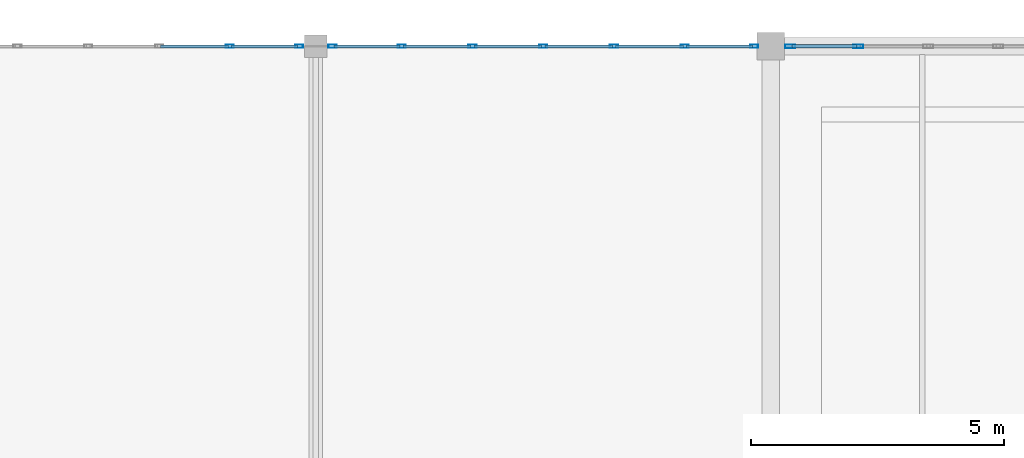
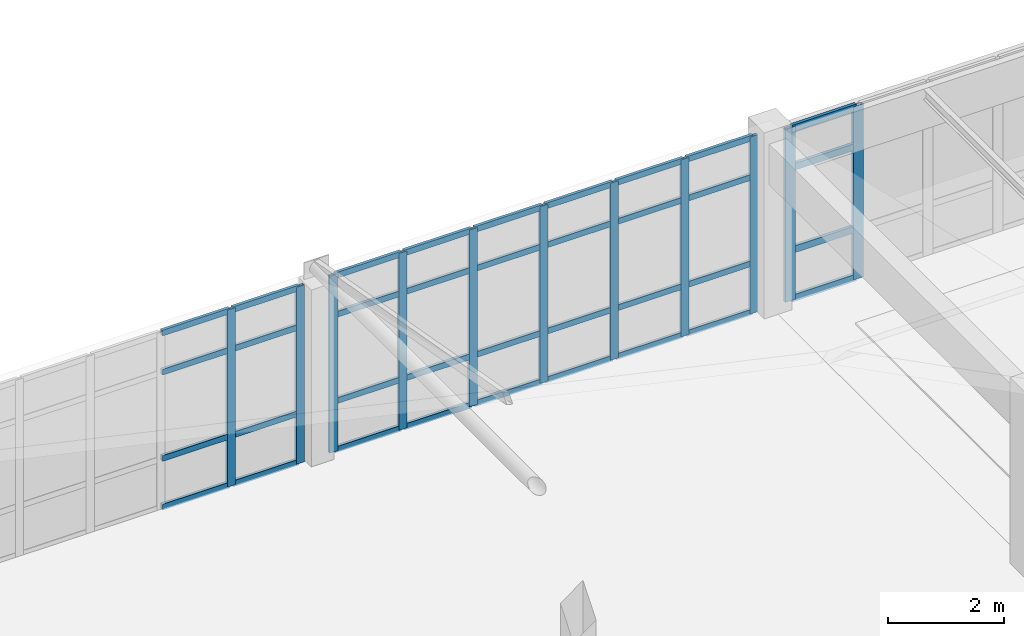
# One storey, part 102 of 156: 47 members, 3 elements without a shape of their own.
"""IFC4 building model written with IfcOpenShell, lengths in metres."""

from ifc_helpers import new_model, si_unit, direction, frame, origin, origin_2d, place, context, subcontext, project, spatial, hollow_rectangle, extrude, material, layer, layer_set, material_profile, profile_set, type_object, element, aggregate, save


model = new_model("IFC4")

# Units and contexts
model_context = context("Model", 3, precision=1e-05, world=origin(), true_north=direction((0.0, 1.0)))
body_context = subcontext(model_context, "Body", "Model", "MODEL_VIEW")
ifc_project = project(units=[si_unit("LENGTHUNIT", "METRE"), si_unit("AREAUNIT", "SQUARE_METRE"), si_unit("VOLUMEUNIT", "CUBIC_METRE"), si_unit("PLANEANGLEUNIT", "RADIAN"), si_unit("MASSUNIT", "GRAM", prefix="KILO")], contexts=[model_context])

# Site, building, storey
site_placement = place(None, origin())
site = spatial("IfcSite", under=ifc_project, at=site_placement, CompositionType="ELEMENT")
building_placement = place(site_placement, origin())
building = spatial("IfcBuilding", under=site, at=building_placement, Name="Ornek Quay Market", CompositionType="ELEMENT")
storey_placement = place(building_placement, frame((0.0, 0.0, 4.5)))
storey = spatial("IfcBuildingStorey", under=building, at=storey_placement, Name="L01", CompositionType="ELEMENT", Elevation=4.5)

# Curtain wall, members
ifc_material_1 = material(Name="Anodised bronze aluminium and triple low-e glass", Category="aluminium")
ifc_layer_1 = layer(ifc_material_1, 0.179931640625, Name="Anodised bronze aluminium and triple low-e glass", Category="aluminium")
ifc_layer_set_1 = layer_set([ifc_layer_1], Name="Anodised bronze aluminium and triple low-e glass")
curtain_wall_type_1 = type_object("IfcCurtainWallType", Name="CW-CONC-MOD1500", PredefinedType="USERDEFINED", material=ifc_layer_set_1)
curtain_wall_1_placement = place(storey_placement, origin())
curtain_wall_1 = element("IfcCurtainWall", 1, at=curtain_wall_1_placement, inside=storey, type_object=curtain_wall_type_1, Name="Curtain wall CW-037", ObjectType="CURTAIN WALL", PredefinedType="USERDEFINED")
ifc_material_2 = material(Name="Anodised aluminium 6063-T6", Category="aluminium")
ifc_material_profile_1 = material_profile(ifc_material_2, hollow_rectangle(XDim=0.06005859375, YDim=0.159912109375, WallThickness=0.00390625, at=origin_2d()), Name="CW-MUL-60x160", Category="aluminium")
ifc_profile_set_1 = profile_set([ifc_material_profile_1], Name="Anodised aluminium 6063-T6")
member_type_1 = type_object("IfcMemberType", Name="CW-MUL-60x160", PredefinedType="MULLION", material=ifc_profile_set_1)
member_1_placement = place(storey_placement, frame((142.300048828125, 110.0, 0.0), z_axis=(0.0, 0.0, 1.0), x_axis=(0.0, 1.0, 0.0)))
member_1 = element("IfcMember", 2, at=member_1_placement, type_object=member_type_1, Name="CW-037 mullion 6", PredefinedType="MULLION", context=body_context, shape_type="SweptSolid", body=[
    extrude(hollow_rectangle(XDim=0.06005859375, YDim=0.159912109375, WallThickness=0.00390625, at=origin_2d()), origin(), (0.0, 0.0, 1.0), 3.7099609375),
])
member_2_placement = place(storey_placement, frame((143.669921875, 110.0, 0.0), z_axis=(0.0, 0.0, 1.0), x_axis=(0.0, 1.0, 0.0)))
member_2 = element("IfcMember", 3, at=member_2_placement, type_object=member_type_1, Name="CW-037 mullion 7", PredefinedType="MULLION", context=body_context, shape_type="SweptSolid", body=[
    extrude(hollow_rectangle(XDim=0.06005859375, YDim=0.159912109375, WallThickness=0.00390625, at=origin_2d()), origin(), (0.0, 0.0, 1.0), 3.7099609375),
])

curtain_wall_2_placement = place(storey_placement, origin())
curtain_wall_2 = element("IfcCurtainWall", 4, at=curtain_wall_2_placement, inside=storey, type_object=curtain_wall_type_1, Name="Curtain wall CW-041", ObjectType="CURTAIN WALL", PredefinedType="USERDEFINED")
member_3_placement = place(storey_placement, frame((144.330078125, 110.0, 0.0), z_axis=(0.0, 0.0, 1.0), x_axis=(0.0, 1.0, 0.0)))
member_3 = element("IfcMember", 5, at=member_3_placement, type_object=member_type_1, Name="CW-041 mullion 1", PredefinedType="MULLION", context=body_context, shape_type="SweptSolid", body=[
    extrude(hollow_rectangle(XDim=0.06005859375, YDim=0.159912109375, WallThickness=0.00390625, at=origin_2d()), origin(), (0.0, 0.0, 1.0), 3.7099609375),
])
member_4_placement = place(storey_placement, frame((145.699951171875, 110.0, 0.0), z_axis=(0.0, 0.0, 1.0), x_axis=(0.0, 1.0, 0.0)))
member_4 = element("IfcMember", 6, at=member_4_placement, type_object=member_type_1, Name="CW-041 mullion 2", PredefinedType="MULLION", context=body_context, shape_type="SweptSolid", body=[
    extrude(hollow_rectangle(XDim=0.06005859375, YDim=0.159912109375, WallThickness=0.00390625, at=origin_2d()), origin(), (0.0, 0.0, 1.0), 3.7099609375),
])
member_5_placement = place(storey_placement, frame((147.10009765625, 110.0, 0.0), z_axis=(0.0, 0.0, 1.0), x_axis=(0.0, 1.0, 0.0)))
member_5 = element("IfcMember", 7, at=member_5_placement, type_object=member_type_1, Name="CW-041 mullion 3", PredefinedType="MULLION", context=body_context, shape_type="SweptSolid", body=[
    extrude(hollow_rectangle(XDim=0.06005859375, YDim=0.159912109375, WallThickness=0.00390625, at=origin_2d()), origin(), (0.0, 0.0, 1.0), 3.7099609375),
])
member_6_placement = place(storey_placement, frame((148.5, 110.0, 0.0), z_axis=(0.0, 0.0, 1.0), x_axis=(0.0, 1.0, 0.0)))
member_6 = element("IfcMember", 8, at=member_6_placement, type_object=member_type_1, Name="CW-041 mullion 4", PredefinedType="MULLION", context=body_context, shape_type="SweptSolid", body=[
    extrude(hollow_rectangle(XDim=0.06005859375, YDim=0.159912109375, WallThickness=0.00390625, at=origin_2d()), origin(), (0.0, 0.0, 1.0), 3.7099609375),
])
member_7_placement = place(storey_placement, frame((149.89990234375, 110.0, 0.0), z_axis=(0.0, 0.0, 1.0), x_axis=(0.0, 1.0, 0.0)))
member_7 = element("IfcMember", 9, at=member_7_placement, type_object=member_type_1, Name="CW-041 mullion 5", PredefinedType="MULLION", context=body_context, shape_type="SweptSolid", body=[
    extrude(hollow_rectangle(XDim=0.06005859375, YDim=0.159912109375, WallThickness=0.00390625, at=origin_2d()), origin(), (0.0, 0.0, 1.0), 3.7099609375),
])
member_8_placement = place(storey_placement, frame((151.300048828125, 110.0, 0.0), z_axis=(0.0, 0.0, 1.0), x_axis=(0.0, 1.0, 0.0)))
member_8 = element("IfcMember", 10, at=member_8_placement, type_object=member_type_1, Name="CW-041 mullion 6", PredefinedType="MULLION", context=body_context, shape_type="SweptSolid", body=[
    extrude(hollow_rectangle(XDim=0.06005859375, YDim=0.159912109375, WallThickness=0.00390625, at=origin_2d()), origin(), (0.0, 0.0, 1.0), 3.7099609375),
])
member_9_placement = place(storey_placement, frame((152.669921875, 110.0, 0.0), z_axis=(0.0, 0.0, 1.0), x_axis=(0.0, 1.0, 0.0)))
member_9 = element("IfcMember", 11, at=member_9_placement, type_object=member_type_1, Name="CW-041 mullion 7", PredefinedType="MULLION", context=body_context, shape_type="SweptSolid", body=[
    extrude(hollow_rectangle(XDim=0.06005859375, YDim=0.159912109375, WallThickness=0.00390625, at=origin_2d()), origin(), (0.0, 0.0, 1.0), 3.7099609375),
])

ifc_layer_2 = layer(ifc_material_1, 0.18994140625, Name="Anodised bronze aluminium and triple low-e glass", Category="aluminium")
ifc_layer_set_2 = layer_set([ifc_layer_2], Name="Anodised bronze aluminium and triple low-e glass")
curtain_wall_type_2 = type_object("IfcCurtainWallType", Name="CW-FC-MOD1500", PredefinedType="USERDEFINED", material=ifc_layer_set_2)
curtain_wall_3_placement = place(storey_placement, origin())
curtain_wall_3 = element("IfcCurtainWall", 12, at=curtain_wall_3_placement, inside=storey, type_object=curtain_wall_type_2, Name="Curtain wall CW-083", ObjectType="CURTAIN WALL", PredefinedType="USERDEFINED")
ifc_material_profile_2 = material_profile(ifc_material_2, hollow_rectangle(XDim=0.070068359375, YDim=0.199951171875, WallThickness=0.0048828125, at=origin_2d()), Name="CW-MUL-70x200", Category="aluminium")
ifc_profile_set_2 = profile_set([ifc_material_profile_2], Name="Anodised aluminium 6063-T6")
member_type_2 = type_object("IfcMemberType", Name="CW-MUL-70x200", PredefinedType="MULLION", material=ifc_profile_set_2)
member_10_placement = place(storey_placement, frame((153.385009765625, 110.0, 0.0), z_axis=(0.0, 0.0, 1.0), x_axis=(0.0, 1.0, 0.0)))
member_10 = element("IfcMember", 13, at=member_10_placement, type_object=member_type_2, Name="CW-083 mullion 1", PredefinedType="MULLION", context=body_context, shape_type="SweptSolid", body=[
    extrude(hollow_rectangle(XDim=0.070068359375, YDim=0.199951171875, WallThickness=0.0048828125, at=origin_2d()), origin(), (0.0, 0.0, 1.0), 3.6298828125),
])
member_11_placement = place(storey_placement, frame((154.7333984375, 110.0, 0.0), z_axis=(0.0, 0.0, 1.0), x_axis=(0.0, 1.0, 0.0)))
member_11 = element("IfcMember", 14, at=member_11_placement, type_object=member_type_2, Name="CW-083 mullion 2", PredefinedType="MULLION", context=body_context, shape_type="SweptSolid", body=[
    extrude(hollow_rectangle(XDim=0.070068359375, YDim=0.199951171875, WallThickness=0.0048828125, at=origin_2d()), origin(), (0.0, 0.0, 1.0), 3.6298828125),
])

# Member
ifc_material_profile_3 = material_profile(ifc_material_2, hollow_rectangle(XDim=0.06005859375, YDim=0.1201171875, WallThickness=0.00390625, at=origin_2d()), Name="CW-TRN-60x120", Category="aluminium")
ifc_profile_set_3 = profile_set([ifc_material_profile_3], Name="Anodised aluminium 6063-T6")
member_type_3 = type_object("IfcMemberType", Name="CW-TRN-60x120", PredefinedType="USERDEFINED", material=ifc_profile_set_3)
member_12_placement = place(storey_placement, frame((140.929931640625, 110.0, 0.030029296875), z_axis=(1.0, 0.0, 0.0), x_axis=(0.0, 1.0, 0.0)))
member_12 = element("IfcMember", 15, at=member_12_placement, type_object=member_type_3, Name="CW-037 transom 5.1", ObjectType="TRANSOM", PredefinedType="USERDEFINED", context=body_context, shape_type="SweptSolid", body=[
    extrude(hollow_rectangle(XDim=0.06005859375, YDim=0.1201171875, WallThickness=0.00390625, at=origin_2d()), origin(), (0.0, 0.0, 1.0), 1.340087890625),
])

member_13_placement = place(storey_placement, frame((140.929931640625, 110.0, 1.050048828125), z_axis=(1.0, 0.0, 0.0), x_axis=(0.0, 1.0, 0.0)))
member_13 = element("IfcMember", 16, at=member_13_placement, type_object=member_type_3, Name="CW-037 transom 5.2", ObjectType="TRANSOM", PredefinedType="USERDEFINED", context=body_context, shape_type="SweptSolid", body=[
    extrude(hollow_rectangle(XDim=0.06005859375, YDim=0.1201171875, WallThickness=0.00390625, at=origin_2d()), origin(), (0.0, 0.0, 1.0), 1.340087890625),
])

member_14_placement = place(storey_placement, frame((140.929931640625, 110.0, 2.860107421875), z_axis=(1.0, 0.0, 0.0), x_axis=(0.0, 1.0, 0.0)))
member_14 = element("IfcMember", 17, at=member_14_placement, type_object=member_type_3, Name="CW-037 transom 5.3", ObjectType="TRANSOM", PredefinedType="USERDEFINED", context=body_context, shape_type="SweptSolid", body=[
    extrude(hollow_rectangle(XDim=0.06005859375, YDim=0.1201171875, WallThickness=0.00390625, at=origin_2d()), origin(), (0.0, 0.0, 1.0), 1.340087890625),
])

member_15_placement = place(storey_placement, frame((140.929931640625, 110.0, 3.679931640625), z_axis=(1.0, 0.0, 0.0), x_axis=(0.0, 1.0, 0.0)))
member_15 = element("IfcMember", 18, at=member_15_placement, type_object=member_type_3, Name="CW-037 transom 5.4", ObjectType="TRANSOM", PredefinedType="USERDEFINED", context=body_context, shape_type="SweptSolid", body=[
    extrude(hollow_rectangle(XDim=0.06005859375, YDim=0.1201171875, WallThickness=0.00390625, at=origin_2d()), origin(), (0.0, 0.0, 1.0), 1.340087890625),
])

member_16_placement = place(storey_placement, frame((142.330078125, 110.0, 0.030029296875), z_axis=(1.0, 0.0, 0.0), x_axis=(0.0, 1.0, 0.0)))
member_16 = element("IfcMember", 19, at=member_16_placement, type_object=member_type_3, Name="CW-037 transom 6.1", ObjectType="TRANSOM", PredefinedType="USERDEFINED", context=body_context, shape_type="SweptSolid", body=[
    extrude(hollow_rectangle(XDim=0.06005859375, YDim=0.1201171875, WallThickness=0.00390625, at=origin_2d()), origin(), (0.0, 0.0, 1.0), 1.309814453125),
])

member_17_placement = place(storey_placement, frame((142.330078125, 110.0, 1.050048828125), z_axis=(1.0, 0.0, 0.0), x_axis=(0.0, 1.0, 0.0)))
member_17 = element("IfcMember", 20, at=member_17_placement, type_object=member_type_3, Name="CW-037 transom 6.2", ObjectType="TRANSOM", PredefinedType="USERDEFINED", context=body_context, shape_type="SweptSolid", body=[
    extrude(hollow_rectangle(XDim=0.06005859375, YDim=0.1201171875, WallThickness=0.00390625, at=origin_2d()), origin(), (0.0, 0.0, 1.0), 1.309814453125),
])

member_18_placement = place(storey_placement, frame((142.330078125, 110.0, 2.860107421875), z_axis=(1.0, 0.0, 0.0), x_axis=(0.0, 1.0, 0.0)))
member_18 = element("IfcMember", 21, at=member_18_placement, type_object=member_type_3, Name="CW-037 transom 6.3", ObjectType="TRANSOM", PredefinedType="USERDEFINED", context=body_context, shape_type="SweptSolid", body=[
    extrude(hollow_rectangle(XDim=0.06005859375, YDim=0.1201171875, WallThickness=0.00390625, at=origin_2d()), origin(), (0.0, 0.0, 1.0), 1.309814453125),
])

member_19_placement = place(storey_placement, frame((142.330078125, 110.0, 3.679931640625), z_axis=(1.0, 0.0, 0.0), x_axis=(0.0, 1.0, 0.0)))
member_19 = element("IfcMember", 22, at=member_19_placement, type_object=member_type_3, Name="CW-037 transom 6.4", ObjectType="TRANSOM", PredefinedType="USERDEFINED", context=body_context, shape_type="SweptSolid", body=[
    extrude(hollow_rectangle(XDim=0.06005859375, YDim=0.1201171875, WallThickness=0.00390625, at=origin_2d()), origin(), (0.0, 0.0, 1.0), 1.309814453125),
])

aggregate(curtain_wall_1, [member_1, member_2, member_12, member_13, member_14, member_15, member_16, member_17, member_18, member_19])

member_20_placement = place(storey_placement, frame((144.360107421875, 110.0, 0.030029296875), z_axis=(1.0, 0.0, 0.0), x_axis=(0.0, 1.0, 0.0)))
member_20 = element("IfcMember", 23, at=member_20_placement, type_object=member_type_3, Name="CW-041 transom 1.1", ObjectType="TRANSOM", PredefinedType="USERDEFINED", context=body_context, shape_type="SweptSolid", body=[
    extrude(hollow_rectangle(XDim=0.06005859375, YDim=0.1201171875, WallThickness=0.00390625, at=origin_2d()), origin(), (0.0, 0.0, 1.0), 1.309814453125),
])

member_21_placement = place(storey_placement, frame((144.360107421875, 110.0, 1.050048828125), z_axis=(1.0, 0.0, 0.0), x_axis=(0.0, 1.0, 0.0)))
member_21 = element("IfcMember", 24, at=member_21_placement, type_object=member_type_3, Name="CW-041 transom 1.2", ObjectType="TRANSOM", PredefinedType="USERDEFINED", context=body_context, shape_type="SweptSolid", body=[
    extrude(hollow_rectangle(XDim=0.06005859375, YDim=0.1201171875, WallThickness=0.00390625, at=origin_2d()), origin(), (0.0, 0.0, 1.0), 1.309814453125),
])

member_22_placement = place(storey_placement, frame((144.360107421875, 110.0, 2.860107421875), z_axis=(1.0, 0.0, 0.0), x_axis=(0.0, 1.0, 0.0)))
member_22 = element("IfcMember", 25, at=member_22_placement, type_object=member_type_3, Name="CW-041 transom 1.3", ObjectType="TRANSOM", PredefinedType="USERDEFINED", context=body_context, shape_type="SweptSolid", body=[
    extrude(hollow_rectangle(XDim=0.06005859375, YDim=0.1201171875, WallThickness=0.00390625, at=origin_2d()), origin(), (0.0, 0.0, 1.0), 1.309814453125),
])

member_23_placement = place(storey_placement, frame((144.360107421875, 110.0, 3.679931640625), z_axis=(1.0, 0.0, 0.0), x_axis=(0.0, 1.0, 0.0)))
member_23 = element("IfcMember", 26, at=member_23_placement, type_object=member_type_3, Name="CW-041 transom 1.4", ObjectType="TRANSOM", PredefinedType="USERDEFINED", context=body_context, shape_type="SweptSolid", body=[
    extrude(hollow_rectangle(XDim=0.06005859375, YDim=0.1201171875, WallThickness=0.00390625, at=origin_2d()), origin(), (0.0, 0.0, 1.0), 1.309814453125),
])

member_24_placement = place(storey_placement, frame((145.72998046875, 110.0, 0.030029296875), z_axis=(1.0, 0.0, 0.0), x_axis=(0.0, 1.0, 0.0)))
member_24 = element("IfcMember", 27, at=member_24_placement, type_object=member_type_3, Name="CW-041 transom 2.1", ObjectType="TRANSOM", PredefinedType="USERDEFINED", context=body_context, shape_type="SweptSolid", body=[
    extrude(hollow_rectangle(XDim=0.06005859375, YDim=0.1201171875, WallThickness=0.00390625, at=origin_2d()), origin(), (0.0, 0.0, 1.0), 1.340087890625),
])

member_25_placement = place(storey_placement, frame((145.72998046875, 110.0, 1.050048828125), z_axis=(1.0, 0.0, 0.0), x_axis=(0.0, 1.0, 0.0)))
member_25 = element("IfcMember", 28, at=member_25_placement, type_object=member_type_3, Name="CW-041 transom 2.2", ObjectType="TRANSOM", PredefinedType="USERDEFINED", context=body_context, shape_type="SweptSolid", body=[
    extrude(hollow_rectangle(XDim=0.06005859375, YDim=0.1201171875, WallThickness=0.00390625, at=origin_2d()), origin(), (0.0, 0.0, 1.0), 1.340087890625),
])

member_26_placement = place(storey_placement, frame((145.72998046875, 110.0, 2.860107421875), z_axis=(1.0, 0.0, 0.0), x_axis=(0.0, 1.0, 0.0)))
member_26 = element("IfcMember", 29, at=member_26_placement, type_object=member_type_3, Name="CW-041 transom 2.3", ObjectType="TRANSOM", PredefinedType="USERDEFINED", context=body_context, shape_type="SweptSolid", body=[
    extrude(hollow_rectangle(XDim=0.06005859375, YDim=0.1201171875, WallThickness=0.00390625, at=origin_2d()), origin(), (0.0, 0.0, 1.0), 1.340087890625),
])

member_27_placement = place(storey_placement, frame((145.72998046875, 110.0, 3.679931640625), z_axis=(1.0, 0.0, 0.0), x_axis=(0.0, 1.0, 0.0)))
member_27 = element("IfcMember", 30, at=member_27_placement, type_object=member_type_3, Name="CW-041 transom 2.4", ObjectType="TRANSOM", PredefinedType="USERDEFINED", context=body_context, shape_type="SweptSolid", body=[
    extrude(hollow_rectangle(XDim=0.06005859375, YDim=0.1201171875, WallThickness=0.00390625, at=origin_2d()), origin(), (0.0, 0.0, 1.0), 1.340087890625),
])

member_28_placement = place(storey_placement, frame((147.1298828125, 110.0, 0.030029296875), z_axis=(1.0, 0.0, 0.0), x_axis=(0.0, 1.0, 0.0)))
member_28 = element("IfcMember", 31, at=member_28_placement, type_object=member_type_3, Name="CW-041 transom 3.1", ObjectType="TRANSOM", PredefinedType="USERDEFINED", context=body_context, shape_type="SweptSolid", body=[
    extrude(hollow_rectangle(XDim=0.06005859375, YDim=0.1201171875, WallThickness=0.00390625, at=origin_2d()), origin(), (0.0, 0.0, 1.0), 1.340087890625),
])

member_29_placement = place(storey_placement, frame((147.1298828125, 110.0, 1.050048828125), z_axis=(1.0, 0.0, 0.0), x_axis=(0.0, 1.0, 0.0)))
member_29 = element("IfcMember", 32, at=member_29_placement, type_object=member_type_3, Name="CW-041 transom 3.2", ObjectType="TRANSOM", PredefinedType="USERDEFINED", context=body_context, shape_type="SweptSolid", body=[
    extrude(hollow_rectangle(XDim=0.06005859375, YDim=0.1201171875, WallThickness=0.00390625, at=origin_2d()), origin(), (0.0, 0.0, 1.0), 1.340087890625),
])

member_30_placement = place(storey_placement, frame((147.1298828125, 110.0, 2.860107421875), z_axis=(1.0, 0.0, 0.0), x_axis=(0.0, 1.0, 0.0)))
member_30 = element("IfcMember", 33, at=member_30_placement, type_object=member_type_3, Name="CW-041 transom 3.3", ObjectType="TRANSOM", PredefinedType="USERDEFINED", context=body_context, shape_type="SweptSolid", body=[
    extrude(hollow_rectangle(XDim=0.06005859375, YDim=0.1201171875, WallThickness=0.00390625, at=origin_2d()), origin(), (0.0, 0.0, 1.0), 1.340087890625),
])

member_31_placement = place(storey_placement, frame((147.1298828125, 110.0, 3.679931640625), z_axis=(1.0, 0.0, 0.0), x_axis=(0.0, 1.0, 0.0)))
member_31 = element("IfcMember", 34, at=member_31_placement, type_object=member_type_3, Name="CW-041 transom 3.4", ObjectType="TRANSOM", PredefinedType="USERDEFINED", context=body_context, shape_type="SweptSolid", body=[
    extrude(hollow_rectangle(XDim=0.06005859375, YDim=0.1201171875, WallThickness=0.00390625, at=origin_2d()), origin(), (0.0, 0.0, 1.0), 1.340087890625),
])

member_32_placement = place(storey_placement, frame((148.530029296875, 110.0, 0.030029296875), z_axis=(1.0, 0.0, 0.0), x_axis=(0.0, 1.0, 0.0)))
member_32 = element("IfcMember", 35, at=member_32_placement, type_object=member_type_3, Name="CW-041 transom 4.1", ObjectType="TRANSOM", PredefinedType="USERDEFINED", context=body_context, shape_type="SweptSolid", body=[
    extrude(hollow_rectangle(XDim=0.06005859375, YDim=0.1201171875, WallThickness=0.00390625, at=origin_2d()), origin(), (0.0, 0.0, 1.0), 1.340087890625),
])

member_33_placement = place(storey_placement, frame((148.530029296875, 110.0, 1.050048828125), z_axis=(1.0, 0.0, 0.0), x_axis=(0.0, 1.0, 0.0)))
member_33 = element("IfcMember", 36, at=member_33_placement, type_object=member_type_3, Name="CW-041 transom 4.2", ObjectType="TRANSOM", PredefinedType="USERDEFINED", context=body_context, shape_type="SweptSolid", body=[
    extrude(hollow_rectangle(XDim=0.06005859375, YDim=0.1201171875, WallThickness=0.00390625, at=origin_2d()), origin(), (0.0, 0.0, 1.0), 1.340087890625),
])

member_34_placement = place(storey_placement, frame((148.530029296875, 110.0, 2.860107421875), z_axis=(1.0, 0.0, 0.0), x_axis=(0.0, 1.0, 0.0)))
member_34 = element("IfcMember", 37, at=member_34_placement, type_object=member_type_3, Name="CW-041 transom 4.3", ObjectType="TRANSOM", PredefinedType="USERDEFINED", context=body_context, shape_type="SweptSolid", body=[
    extrude(hollow_rectangle(XDim=0.06005859375, YDim=0.1201171875, WallThickness=0.00390625, at=origin_2d()), origin(), (0.0, 0.0, 1.0), 1.340087890625),
])

member_35_placement = place(storey_placement, frame((148.530029296875, 110.0, 3.679931640625), z_axis=(1.0, 0.0, 0.0), x_axis=(0.0, 1.0, 0.0)))
member_35 = element("IfcMember", 38, at=member_35_placement, type_object=member_type_3, Name="CW-041 transom 4.4", ObjectType="TRANSOM", PredefinedType="USERDEFINED", context=body_context, shape_type="SweptSolid", body=[
    extrude(hollow_rectangle(XDim=0.06005859375, YDim=0.1201171875, WallThickness=0.00390625, at=origin_2d()), origin(), (0.0, 0.0, 1.0), 1.340087890625),
])

member_36_placement = place(storey_placement, frame((149.929931640625, 110.0, 0.030029296875), z_axis=(1.0, 0.0, 0.0), x_axis=(0.0, 1.0, 0.0)))
member_36 = element("IfcMember", 39, at=member_36_placement, type_object=member_type_3, Name="CW-041 transom 5.1", ObjectType="TRANSOM", PredefinedType="USERDEFINED", context=body_context, shape_type="SweptSolid", body=[
    extrude(hollow_rectangle(XDim=0.06005859375, YDim=0.1201171875, WallThickness=0.00390625, at=origin_2d()), origin(), (0.0, 0.0, 1.0), 1.340087890625),
])

member_37_placement = place(storey_placement, frame((149.929931640625, 110.0, 1.050048828125), z_axis=(1.0, 0.0, 0.0), x_axis=(0.0, 1.0, 0.0)))
member_37 = element("IfcMember", 40, at=member_37_placement, type_object=member_type_3, Name="CW-041 transom 5.2", ObjectType="TRANSOM", PredefinedType="USERDEFINED", context=body_context, shape_type="SweptSolid", body=[
    extrude(hollow_rectangle(XDim=0.06005859375, YDim=0.1201171875, WallThickness=0.00390625, at=origin_2d()), origin(), (0.0, 0.0, 1.0), 1.340087890625),
])

member_38_placement = place(storey_placement, frame((149.929931640625, 110.0, 2.860107421875), z_axis=(1.0, 0.0, 0.0), x_axis=(0.0, 1.0, 0.0)))
member_38 = element("IfcMember", 41, at=member_38_placement, type_object=member_type_3, Name="CW-041 transom 5.3", ObjectType="TRANSOM", PredefinedType="USERDEFINED", context=body_context, shape_type="SweptSolid", body=[
    extrude(hollow_rectangle(XDim=0.06005859375, YDim=0.1201171875, WallThickness=0.00390625, at=origin_2d()), origin(), (0.0, 0.0, 1.0), 1.340087890625),
])

member_39_placement = place(storey_placement, frame((149.929931640625, 110.0, 3.679931640625), z_axis=(1.0, 0.0, 0.0), x_axis=(0.0, 1.0, 0.0)))
member_39 = element("IfcMember", 42, at=member_39_placement, type_object=member_type_3, Name="CW-041 transom 5.4", ObjectType="TRANSOM", PredefinedType="USERDEFINED", context=body_context, shape_type="SweptSolid", body=[
    extrude(hollow_rectangle(XDim=0.06005859375, YDim=0.1201171875, WallThickness=0.00390625, at=origin_2d()), origin(), (0.0, 0.0, 1.0), 1.340087890625),
])

member_40_placement = place(storey_placement, frame((151.330078125, 110.0, 0.030029296875), z_axis=(1.0, 0.0, 0.0), x_axis=(0.0, 1.0, 0.0)))
member_40 = element("IfcMember", 43, at=member_40_placement, type_object=member_type_3, Name="CW-041 transom 6.1", ObjectType="TRANSOM", PredefinedType="USERDEFINED", context=body_context, shape_type="SweptSolid", body=[
    extrude(hollow_rectangle(XDim=0.06005859375, YDim=0.1201171875, WallThickness=0.00390625, at=origin_2d()), origin(), (0.0, 0.0, 1.0), 1.309814453125),
])

member_41_placement = place(storey_placement, frame((151.330078125, 110.0, 1.050048828125), z_axis=(1.0, 0.0, 0.0), x_axis=(0.0, 1.0, 0.0)))
member_41 = element("IfcMember", 44, at=member_41_placement, type_object=member_type_3, Name="CW-041 transom 6.2", ObjectType="TRANSOM", PredefinedType="USERDEFINED", context=body_context, shape_type="SweptSolid", body=[
    extrude(hollow_rectangle(XDim=0.06005859375, YDim=0.1201171875, WallThickness=0.00390625, at=origin_2d()), origin(), (0.0, 0.0, 1.0), 1.309814453125),
])

member_42_placement = place(storey_placement, frame((151.330078125, 110.0, 2.860107421875), z_axis=(1.0, 0.0, 0.0), x_axis=(0.0, 1.0, 0.0)))
member_42 = element("IfcMember", 45, at=member_42_placement, type_object=member_type_3, Name="CW-041 transom 6.3", ObjectType="TRANSOM", PredefinedType="USERDEFINED", context=body_context, shape_type="SweptSolid", body=[
    extrude(hollow_rectangle(XDim=0.06005859375, YDim=0.1201171875, WallThickness=0.00390625, at=origin_2d()), origin(), (0.0, 0.0, 1.0), 1.309814453125),
])

member_43_placement = place(storey_placement, frame((151.330078125, 110.0, 3.679931640625), z_axis=(1.0, 0.0, 0.0), x_axis=(0.0, 1.0, 0.0)))
member_43 = element("IfcMember", 46, at=member_43_placement, type_object=member_type_3, Name="CW-041 transom 6.4", ObjectType="TRANSOM", PredefinedType="USERDEFINED", context=body_context, shape_type="SweptSolid", body=[
    extrude(hollow_rectangle(XDim=0.06005859375, YDim=0.1201171875, WallThickness=0.00390625, at=origin_2d()), origin(), (0.0, 0.0, 1.0), 1.309814453125),
])

aggregate(curtain_wall_2, [member_3, member_4, member_5, member_6, member_7, member_8, member_9, member_20, member_21, member_22, member_23, member_24, member_25, member_26, member_27, member_28, member_29, member_30, member_31, member_32, member_33, member_34, member_35, member_36, member_37, member_38, member_39, member_40, member_41, member_42, member_43])

ifc_material_profile_4 = material_profile(ifc_material_2, hollow_rectangle(XDim=0.06494140625, YDim=0.139892578125, WallThickness=0.00439453125, at=origin_2d()), Name="CW-TRN-65x140", Category="aluminium")
ifc_profile_set_4 = profile_set([ifc_material_profile_4], Name="Anodised aluminium 6063-T6")
member_type_4 = type_object("IfcMemberType", Name="CW-TRN-65x140", PredefinedType="USERDEFINED", material=ifc_profile_set_4)
member_44_placement = place(storey_placement, frame((153.419921875, 110.0, 0.032470703125), z_axis=(1.0, 0.0, 0.0), x_axis=(0.0, 1.0, 0.0)))
member_44 = element("IfcMember", 47, at=member_44_placement, type_object=member_type_4, Name="CW-083 transom 1.1", ObjectType="TRANSOM", PredefinedType="USERDEFINED", context=body_context, shape_type="SweptSolid", body=[
    extrude(hollow_rectangle(XDim=0.06494140625, YDim=0.139892578125, WallThickness=0.00439453125, at=origin_2d()), origin(), (0.0, 0.0, 1.0), 1.2783203125),
])

member_45_placement = place(storey_placement, frame((153.419921875, 110.0, 1.050048828125), z_axis=(1.0, 0.0, 0.0), x_axis=(0.0, 1.0, 0.0)))
member_45 = element("IfcMember", 48, at=member_45_placement, type_object=member_type_4, Name="CW-083 transom 1.2", ObjectType="TRANSOM", PredefinedType="USERDEFINED", context=body_context, shape_type="SweptSolid", body=[
    extrude(hollow_rectangle(XDim=0.06494140625, YDim=0.139892578125, WallThickness=0.00439453125, at=origin_2d()), origin(), (0.0, 0.0, 1.0), 1.2783203125),
])

member_46_placement = place(storey_placement, frame((153.419921875, 110.0, 2.780029296875), z_axis=(1.0, 0.0, 0.0), x_axis=(0.0, 1.0, 0.0)))
member_46 = element("IfcMember", 49, at=member_46_placement, type_object=member_type_4, Name="CW-083 transom 1.3", ObjectType="TRANSOM", PredefinedType="USERDEFINED", context=body_context, shape_type="SweptSolid", body=[
    extrude(hollow_rectangle(XDim=0.06494140625, YDim=0.139892578125, WallThickness=0.00439453125, at=origin_2d()), origin(), (0.0, 0.0, 1.0), 1.2783203125),
])

member_47_placement = place(storey_placement, frame((153.419921875, 110.0, 3.597412109375), z_axis=(1.0, 0.0, 0.0), x_axis=(0.0, 1.0, 0.0)))
member_47 = element("IfcMember", 50, at=member_47_placement, type_object=member_type_4, Name="CW-083 transom 1.4", ObjectType="TRANSOM", PredefinedType="USERDEFINED", context=body_context, shape_type="SweptSolid", body=[
    extrude(hollow_rectangle(XDim=0.06494140625, YDim=0.139892578125, WallThickness=0.00439453125, at=origin_2d()), origin(), (0.0, 0.0, 1.0), 1.2783203125),
])

aggregate(curtain_wall_3, [member_10, member_11, member_44, member_45, member_46, member_47])

save(model, "model.ifc")
